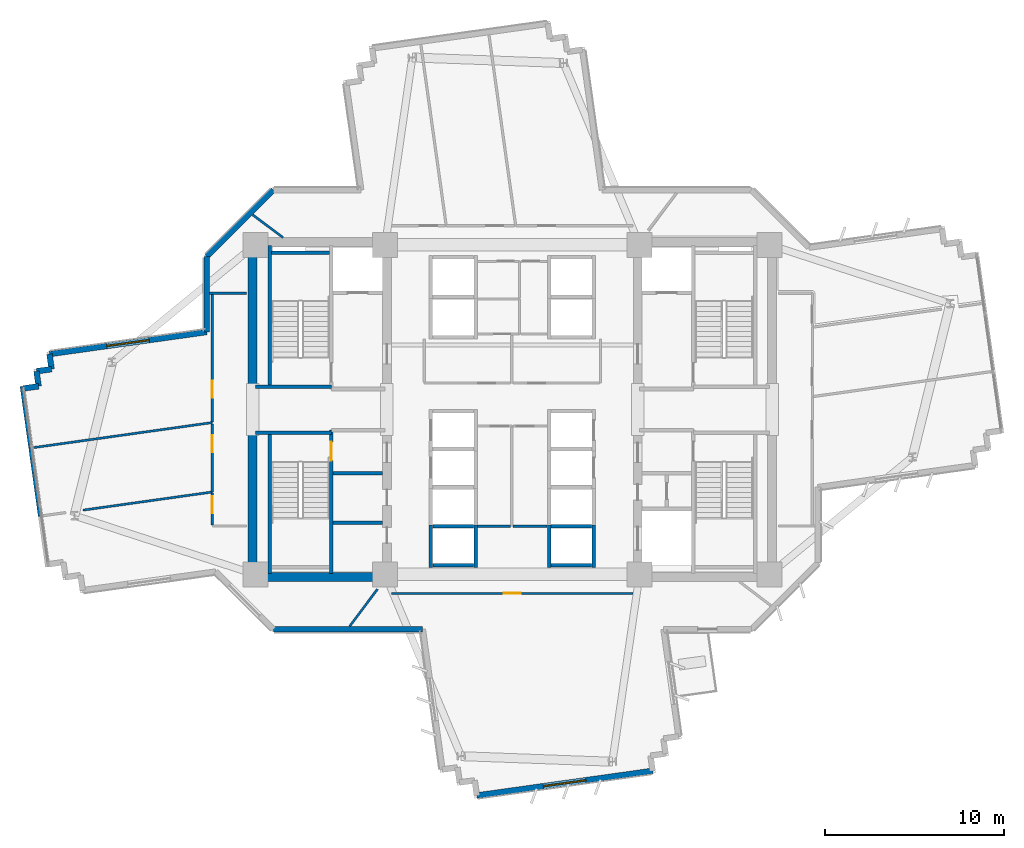
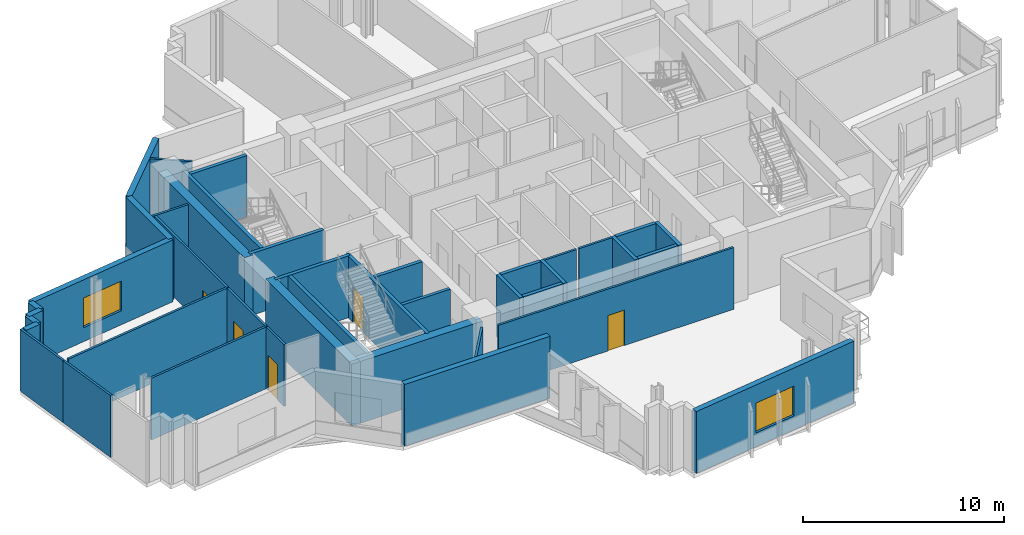
# One storey, part 6 of 14: 41 walls, 5 doors, 2 windows, 7 openings.
"""IFC4 building model written with IfcOpenShell, lengths in metres."""

from ifc_helpers import new_model, si_unit, direction, frame, frame_2d, origin, place, context, subcontext, project, spatial, rectangle, extrude, source, transform, mapped, material, layer, layer_set, type_object, element, fill, save


model = new_model("IFC4")

# Units and contexts
model_context = context("Model", 3, precision=1e-05, world=origin(), true_north=direction((0.0, 1.0)))
body_context = subcontext(model_context, "Body", "Model", "MODEL_VIEW")
ifc_project = project(units=[si_unit("LENGTHUNIT", "METRE"), si_unit("AREAUNIT", "SQUARE_METRE"), si_unit("VOLUMEUNIT", "CUBIC_METRE"), si_unit("PLANEANGLEUNIT", "RADIAN"), si_unit("MASSUNIT", "GRAM", prefix="KILO")], contexts=[model_context])

# Site, building, storey
site_placement = place(None, origin())
site = spatial("IfcSite", under=ifc_project, at=site_placement, CompositionType="ELEMENT")
building_placement = place(site_placement, origin())
building = spatial("IfcBuilding", under=site, at=building_placement, Name="Zahravan Cultural Tower", CompositionType="ELEMENT")
storey_placement = place(building_placement, frame((0.0, 0.0, 121.5)))
storey = spatial("IfcBuildingStorey", under=building, at=storey_placement, Name="L27", CompositionType="ELEMENT", Elevation=121.5)

# Wall, opening, window
ifc_material_1 = material(Name="Precast concrete C40/50", Category="concrete")
ifc_layer_1 = layer(ifc_material_1, 0.320068359375)
ifc_layer_set_1 = layer_set([ifc_layer_1], Name="Precast concrete C40/50")
wall_type_1 = type_object("IfcWallType", Name="EW-TC-320", PredefinedType="SOLIDWALL", material=ifc_layer_set_1)
wall_1_placement = place(storey_placement, frame((43.835693359375, 6.83251953125, 0.0), z_axis=(0.0, 0.0, 1.0), x_axis=(-0.990316250135, -0.138829840876, 0.0)))
wall_1 = element("IfcWall", 1, at=wall_1_placement, inside=storey, type_object=wall_type_1, Name="L27 Exterior Masonry Frame Wall 19", PredefinedType="SOLIDWALL", context=body_context, shape_type="SweptSolid", body=[
    extrude(rectangle(XDim=9.919921875, YDim=0.320068359375, at=frame_2d((4.9599609375, 0.0))), origin(), (0.0, 0.0, 1.0), 3.75),
])
opening_1_placement = place(wall_1_placement, frame((3.760009765625, 0.0, 0.85009765625)))
opening_1 = element("IfcOpeningElement", 2, at=opening_1_placement, cuts=wall_1, Name="Opening WN-01", PredefinedType="OPENING", context=body_context, shape_type="SweptSolid", body=[
    extrude(rectangle(XDim=2.39990234375, YDim=1.800048828125, at=frame_2d((1.199951171875, 0.89990234375))), frame((0.0, 0.169921875, 0.0), z_axis=(0.0, -1.0, 0.0), x_axis=(1.0, 0.0, 0.0)), (0.0, 0.0, 1.0), 0.340087890625),
])
ifc_material_2 = material(Name="Low-E solar-control double glazing", Category="glass")
window_type = type_object("IfcWindowType", Name="WN-REC-2400X1800", PartitioningType="DOUBLE_PANEL_VERTICAL", PredefinedType="WINDOW", material=ifc_material_2)
shared_shape_1 = source(origin(), body_context, "Body", "SweptSolid", [
    extrude(rectangle(XDim=2.39990234375, YDim=1.800048828125, at=frame_2d((1.199951171875, 0.89990234375))), frame((0.0, 0.030029296875, 0.0), z_axis=(0.0, -1.0, 0.0), x_axis=(1.0, 0.0, 0.0)), (0.0, 0.0, 1.0), 0.06005859375),
])
window_1_placement = place(opening_1_placement, origin())
window_1 = element("IfcWindow", 3, at=window_1_placement, inside=storey, type_object=window_type, Name="L27 Recessed Solar Window 04", OverallHeight=1.800048828125, OverallWidth=2.39990234375, PartitioningType="DOUBLE_PANEL_VERTICAL", PredefinedType="WINDOW", context=body_context, shape_type="MappedRepresentation", body=[
    mapped(shared_shape_1, transform((0.0, 0.0, 0.0), x_axis=(1.0, 0.0, 0.0), y_axis=(0.0, 1.0, 0.0), z_axis=(0.0, 0.0, 1.0), scale=1.0)),
])
fill(opening_1, window_1)

wall_2_placement = place(storey_placement, frame((10.1591796875, 30.1025390625, 0.0), z_axis=(0.0, 0.0, 1.0), x_axis=(0.990316171862, 0.138830399225, 0.0)))
wall_2 = element("IfcWall", 4, at=wall_2_placement, inside=storey, type_object=wall_type_1, Name="L27 Exterior Masonry Frame Wall 36", PredefinedType="SOLIDWALL", context=body_context, shape_type="SweptSolid", body=[
    extrude(rectangle(XDim=8.86669921875, YDim=0.320068359375, at=frame_2d((4.433349609375, 0.0))), origin(), (0.0, 0.0, 1.0), 3.75),
])
opening_2_placement = place(wall_2_placement, frame((3.23291015625, 0.0, 0.85009765625)))
opening_2 = element("IfcOpeningElement", 5, at=opening_2_placement, cuts=wall_2, Name="Opening WN-01", PredefinedType="OPENING", context=body_context, shape_type="SweptSolid", body=[
    extrude(rectangle(XDim=2.39990234375, YDim=1.800048828125, at=frame_2d((1.199951171875, 0.89990234375))), frame((0.0, 0.169921875, 0.0), z_axis=(0.0, -1.0, 0.0), x_axis=(1.0, 0.0, 0.0)), (0.0, 0.0, 1.0), 0.340087890625),
])
window_2_placement = place(opening_2_placement, origin())
window_2 = element("IfcWindow", 6, at=window_2_placement, inside=storey, type_object=window_type, Name="L27 Recessed Solar Window 08", OverallHeight=1.800048828125, OverallWidth=2.39990234375, PartitioningType="DOUBLE_PANEL_VERTICAL", PredefinedType="WINDOW", context=body_context, shape_type="MappedRepresentation", body=[
    mapped(shared_shape_1, transform((0.0, 0.0, 0.0), x_axis=(1.0, 0.0, 0.0), y_axis=(0.0, 1.0, 0.0), z_axis=(0.0, 0.0, 1.0), scale=1.0)),
])
fill(opening_2, window_2)

# Wall, opening, door
ifc_material_3 = material(Name="Gypsum plasterboard partition")
ifc_layer_2 = layer(ifc_material_3, 0.125)
ifc_layer_set_2 = layer_set([ifc_layer_2], Name="Gypsum plasterboard partition")
wall_type_2 = type_object("IfcWallType", Name="W-PART-125", PredefinedType="PARTITIONING", material=ifc_layer_set_2)
wall_3_placement = place(storey_placement, frame((19.25, 26.20947265625, 0.0), z_axis=(0.0, 0.0, 1.0), x_axis=(0.0, -1.0, 0.0)))
wall_3 = element("IfcWall", 7, at=wall_3_placement, inside=storey, type_object=wall_type_2, Name="L27 Interior Wall 092", PredefinedType="PARTITIONING", context=body_context, shape_type="SweptSolid", body=[
    extrude(rectangle(XDim=3.809326171875, YDim=0.125, at=frame_2d((1.90478515625, 0.0))), origin(), (0.0, 0.0, 1.0), 3.75),
])
opening_3_placement = place(wall_3_placement, frame((0.62890625, 0.0, 0.0)))
opening_3 = element("IfcOpeningElement", 8, at=opening_3_placement, cuts=wall_3, Name="Opening D-L27-26", PredefinedType="OPENING", context=body_context, shape_type="SweptSolid", body=[
    extrude(rectangle(XDim=0.949951171875, YDim=2.14990234375, at=frame_2d((0.47509765625, 1.074951171875))), frame((0.0, 0.072509765625, 0.0), z_axis=(0.0, -1.0, 0.0), x_axis=(1.0, 0.0, 0.0)), (0.0, 0.0, 1.0), 0.14501953125),
])
ifc_material_4 = material(Name="Anodised bronze-aluminium mullion", Category="aluminium")
door_type_1 = type_object("IfcDoorType", Name="DR-ROOM-950", OperationType="NOTDEFINED", PredefinedType="DOOR", material=ifc_material_4)
shared_shape_2 = source(origin(), body_context, "Body", "SweptSolid", [
    extrude(rectangle(XDim=0.949951171875, YDim=2.14990234375, at=frame_2d((0.47509765625, 1.074951171875))), frame((0.0, 0.02490234375, 0.0), z_axis=(0.0, -1.0, 0.0), x_axis=(1.0, 0.0, 0.0)), (0.0, 0.0, 1.0), 0.050048828125),
])
door_1_placement = place(opening_3_placement, origin())
door_1 = element("IfcDoor", 9, at=door_1_placement, inside=storey, type_object=door_type_1, Name="L27 Door D-L27-26", OperationType="SINGLE_SWING_RIGHT", OverallHeight=2.14990234375, OverallWidth=0.949951171875, PredefinedType="DOOR", context=body_context, shape_type="MappedRepresentation", body=[
    mapped(shared_shape_2, transform((0.0, 0.0, 0.0), x_axis=(1.0, 0.0, 0.0), y_axis=(0.0, 1.0, 0.0), z_axis=(0.0, 0.0, 1.0), scale=1.0)),
])
fill(opening_3, door_1)

wall_4_placement = place(storey_placement, frame((19.252685546875, 33.497314453125, 0.0), z_axis=(0.0, 0.0, 1.0), x_axis=(-0.000373020422, -0.999999930428, 0.0)))
wall_4 = element("IfcWall", 10, at=wall_4_placement, inside=storey, type_object=wall_type_2, Name="L27 Interior Wall 099", PredefinedType="PARTITIONING", context=body_context, shape_type="SweptSolid", body=[
    extrude(rectangle(XDim=7.199462890625, YDim=0.125, at=frame_2d((3.599609375, 0.0))), origin(), (0.0, 0.0, 1.0), 3.75),
])
opening_4_placement = place(wall_4_placement, frame((4.87451171875, 0.0, 0.0)))
opening_4 = element("IfcOpeningElement", 11, at=opening_4_placement, cuts=wall_4, Name="Opening D-L27-25", PredefinedType="OPENING", context=body_context, shape_type="SweptSolid", body=[
    extrude(rectangle(XDim=0.949951171875, YDim=2.14990234375, at=frame_2d((0.47509765625, 1.074951171875))), frame((0.0, 0.072509765625, 0.0), z_axis=(0.0, -1.0, 0.0), x_axis=(1.0, 0.0, 0.0)), (0.0, 0.0, 1.0), 0.14501953125),
])
door_2_placement = place(opening_4_placement, origin())
door_2 = element("IfcDoor", 12, at=door_2_placement, inside=storey, type_object=door_type_1, Name="L27 Door D-L27-25", OperationType="SINGLE_SWING_LEFT", OverallHeight=2.14990234375, OverallWidth=0.949951171875, PredefinedType="DOOR", context=body_context, shape_type="MappedRepresentation", body=[
    mapped(shared_shape_2, transform((0.0, 0.0, 0.0), x_axis=(1.0, 0.0, 0.0), y_axis=(0.0, 1.0, 0.0), z_axis=(0.0, 0.0, 1.0), scale=1.0)),
])
fill(opening_4, door_2)

wall_5_placement = place(storey_placement, frame((19.25, 22.33203125, 0.0), z_axis=(0.0, 0.0, 1.0), x_axis=(0.00055378643, -0.99999984666, 0.0)))
wall_5 = element("IfcWall", 13, at=wall_5_placement, inside=storey, type_object=wall_type_2, Name="L27 Interior Wall 112", PredefinedType="PARTITIONING", context=body_context, shape_type="SweptSolid", body=[
    extrude(rectangle(XDim=1.763427734375, YDim=0.125, at=frame_2d((0.8818359375, 0.0))), origin(), (0.0, 0.0, 1.0), 3.75),
])
opening_5_placement = place(wall_5_placement, frame((0.178955078125, 0.0, 0.0)))
opening_5 = element("IfcOpeningElement", 14, at=opening_5_placement, cuts=wall_5, Name="Opening D-L27-27", PredefinedType="OPENING", context=body_context, shape_type="SweptSolid", body=[
    extrude(rectangle(XDim=0.949951171875, YDim=2.14990234375, at=frame_2d((0.47509765625, 1.074951171875))), frame((0.0, 0.072509765625, 0.0), z_axis=(0.0, -1.0, 0.0), x_axis=(1.0, 0.0, 0.0)), (0.0, 0.0, 1.0), 0.14501953125),
])
door_3_placement = place(opening_5_placement, origin())
door_3 = element("IfcDoor", 15, at=door_3_placement, inside=storey, type_object=door_type_1, Name="L27 Door D-L27-27", OperationType="SINGLE_SWING_LEFT", OverallHeight=2.14990234375, OverallWidth=0.949951171875, PredefinedType="DOOR", context=body_context, shape_type="MappedRepresentation", body=[
    mapped(shared_shape_2, transform((0.0, 0.0, 0.0), x_axis=(1.0, 0.0, 0.0), y_axis=(0.0, 1.0, 0.0), z_axis=(0.0, 0.0, 1.0), scale=1.0)),
])
fill(opening_5, door_3)

wall_6_placement = place(storey_placement, frame((29.255859375, 16.739990234375, 0.0), z_axis=(0.0, 0.0, 1.0), x_axis=(1.0, 0.0, 0.0)))
wall_6 = element("IfcWall", 16, at=wall_6_placement, inside=storey, type_object=wall_type_2, Name="L27 Interior Wall 113", PredefinedType="PARTITIONING", context=body_context, shape_type="SweptSolid", body=[
    extrude(rectangle(XDim=13.48828125, YDim=0.125, at=frame_2d((6.744140625, 0.0))), origin(), (0.0, 0.0, 1.0), 3.75),
])
opening_6_placement = place(wall_6_placement, frame((6.26904296875, 0.0, 0.0)))
opening_6 = element("IfcOpeningElement", 17, at=opening_6_placement, cuts=wall_6, Name="Opening D-L27-28", PredefinedType="OPENING", context=body_context, shape_type="SweptSolid", body=[
    extrude(rectangle(XDim=0.949951171875, YDim=2.14990234375, at=frame_2d((0.47509765625, 1.074951171875))), frame((0.0, 0.072509765625, 0.0), z_axis=(0.0, -1.0, 0.0), x_axis=(1.0, 0.0, 0.0)), (0.0, 0.0, 1.0), 0.14501953125),
])
door_4_placement = place(opening_6_placement, origin())
door_4 = element("IfcDoor", 18, at=door_4_placement, inside=storey, type_object=door_type_1, Name="L27 Door D-L27-28", OperationType="SINGLE_SWING_RIGHT", OverallHeight=2.14990234375, OverallWidth=0.949951171875, PredefinedType="DOOR", context=body_context, shape_type="MappedRepresentation", body=[
    mapped(shared_shape_2, transform((0.0, 0.0, 0.0), x_axis=(1.0, 0.0, 0.0), y_axis=(0.0, 1.0, 0.0), z_axis=(0.0, 0.0, 1.0), scale=1.0)),
])
fill(opening_6, door_4)

ifc_material_5 = material(Name="Concrete C45/55", Category="concrete")
ifc_layer_3 = layer(ifc_material_5, 0.199951171875)
ifc_layer_set_3 = layer_set([ifc_layer_3], Name="Concrete C45/55")
wall_type_3 = type_object("IfcWallType", Name="W-SHAFT-200", PredefinedType="SOLIDWALL", material=ifc_layer_set_3)
wall_7_placement = place(storey_placement, frame((25.89990234375, 17.85009765625, 0.0), z_axis=(0.0, 0.0, 1.0), x_axis=(0.0, 1.0, 0.0)))
wall_7 = element("IfcWall", 19, at=wall_7_placement, inside=storey, type_object=wall_type_3, Name="L27 Interior Wall 005", PredefinedType="SOLIDWALL", context=body_context, shape_type="SweptSolid", body=[
    extrude(rectangle(XDim=8.0, YDim=0.199951171875, at=frame_2d((4.0, 0.0))), origin(), (0.0, 0.0, 1.0), 3.75),
])
opening_7_placement = place(wall_7_placement, frame((6.300048828125, 0.0, 0.0)))
opening_7 = element("IfcOpeningElement", 20, at=opening_7_placement, cuts=wall_7, Name="Opening D-L27-04", PredefinedType="OPENING", context=body_context, shape_type="SweptSolid", body=[
    extrude(rectangle(XDim=1.050048828125, YDim=2.14990234375, at=frame_2d((0.52490234375, 1.074951171875))), frame((0.0, 0.10986328125, 0.0), z_axis=(0.0, -1.0, 0.0), x_axis=(1.0, 0.0, 0.0)), (0.0, 0.0, 1.0), 0.219970703125),
])
ifc_material_6 = material(Name="Steel ASTM A572 Grade 50", Category="steel")
door_type_2 = type_object("IfcDoorType", Name="DR-STAIR-1050", OperationType="NOTDEFINED", PredefinedType="DOOR", material=ifc_material_6)
shared_shape_3 = source(origin(), body_context, "Body", "SweptSolid", [
    extrude(rectangle(XDim=1.050048828125, YDim=2.14990234375, at=frame_2d((0.52490234375, 1.074951171875))), frame((0.0, 0.02490234375, 0.0), z_axis=(0.0, -1.0, 0.0), x_axis=(1.0, 0.0, 0.0)), (0.0, 0.0, 1.0), 0.050048828125),
])
door_5_placement = place(opening_7_placement, origin())
door_5 = element("IfcDoor", 21, at=door_5_placement, inside=storey, type_object=door_type_2, Name="L27 Door D-L27-04", OperationType="SINGLE_SWING_RIGHT", OverallHeight=2.14990234375, OverallWidth=1.050048828125, PredefinedType="DOOR", context=body_context, shape_type="MappedRepresentation", body=[
    mapped(shared_shape_3, transform((0.0, 0.0, 0.0), x_axis=(1.0, 0.0, 0.0), y_axis=(0.0, 1.0, 0.0), z_axis=(0.0, 0.0, 1.0), scale=1.0)),
])
fill(opening_7, door_5)

# Walls
ifc_material_7 = material(Name="Concrete C60/75", Category="concrete")
ifc_layer_4 = layer(ifc_material_7, 0.5)
ifc_layer_set_4 = layer_set([ifc_layer_4], Name="Concrete C60/75")
wall_type_4 = type_object("IfcWallType", Name="CW-SHEAR-500-C60", PredefinedType="SHEAR", material=ifc_layer_set_4)
shared_shape_4 = source(origin(), body_context, "Body", "SweptSolid", [
    extrude(rectangle(XDim=8.550048828125, YDim=0.5, at=frame_2d((4.27490234375, 0.0))), origin(), (0.0, 0.0, 1.0), 3.75),
])
for number, where, z_axis, x_axis, name in (
    (22, (21.5, 17.39990234375, 0.0), (0.0, 0.0, 1.0), (0.0, 1.0, 0.0), "L27 Core Shear Wall CW-W-WS-L27"),
    (23, (21.5, 28.050048828125, 0.0), (0.0, 0.0, 1.0), (0.0, 1.0, 0.0), "L27 Core Shear Wall CW-W-WN-L27"),
):
    element("IfcWall", number, at=place(storey_placement, frame(where, z_axis=z_axis, x_axis=x_axis)), inside=storey, type_object=wall_type_4, Name=name, PredefinedType="SHEAR", context=body_context, shape_type="MappedRepresentation", body=[
        mapped(shared_shape_4, transform((0.0, 0.0, 0.0), x_axis=(1.0, 0.0, 0.0), y_axis=(0.0, 1.0, 0.0), z_axis=(0.0, 0.0, 1.0), scale=1.0)),
    ])
shared_shape_5 = source(origin(), body_context, "Body", "SweptSolid", [
    extrude(rectangle(XDim=7.0, YDim=0.5, at=frame_2d((3.5, 0.0))), origin(), (0.0, 0.0, 1.0), 3.75),
])
wall_8_placement = place(storey_placement, frame((21.75, 17.64990234375, 0.0), z_axis=(0.0, 0.0, 1.0), x_axis=(1.0, 0.0, 0.0)))
element("IfcWall", 24, at=wall_8_placement, inside=storey, type_object=wall_type_4, Name="L27 Core Shear Wall CW-W-S-L27", PredefinedType="SHEAR", context=body_context, shape_type="MappedRepresentation", body=[
    mapped(shared_shape_5, transform((0.0, 0.0, 0.0), x_axis=(1.0, 0.0, 0.0), y_axis=(0.0, 1.0, 0.0), z_axis=(0.0, 0.0, 1.0), scale=1.0)),
])
shared_shape_6 = source(origin(), body_context, "Body", "SweptSolid", [
    extrude(rectangle(XDim=0.85009765625, YDim=0.320068359375, at=frame_2d((0.425048828125, 0.0))), origin(), (0.0, 0.0, 1.0), 3.75),
])
for number, where, z_axis, x_axis, name in (
    (25, (8.71142578125, 28.18310546875, 0.0), (0.0, 0.0, 1.0), (0.990330700987, 0.138726719425, 0.0), "L27 Exterior Masonry Frame Wall 32"),
    (26, (9.55322265625, 28.301025390625, 0.0), (0.0, 0.0, 1.0), (-0.138726719425, 0.990330700987, 0.0), "L27 Exterior Masonry Frame Wall 33"),
    (27, (9.435302734375, 29.142822265625, 0.0), (0.0, 0.0, 1.0), (0.990330700987, 0.138726719425, 0.0), "L27 Exterior Masonry Frame Wall 34"),
    (28, (10.277099609375, 29.2607421875, 0.0), (0.0, 0.0, 1.0), (-0.138726719425, 0.990330700987, 0.0), "L27 Exterior Masonry Frame Wall 35"),
):
    element("IfcWall", number, at=place(storey_placement, frame(where, z_axis=z_axis, x_axis=x_axis)), inside=storey, type_object=wall_type_1, Name=name, PredefinedType="SOLIDWALL", context=body_context, shape_type="MappedRepresentation", body=[
        mapped(shared_shape_6, transform((0.0, 0.0, 0.0), x_axis=(1.0, 0.0, 0.0), y_axis=(0.0, 1.0, 0.0), z_axis=(0.0, 0.0, 1.0), scale=1.0)),
    ])
shared_shape_7 = source(origin(), body_context, "Body", "SweptSolid", [
    extrude(rectangle(XDim=4.20849609375, YDim=0.320068359375, at=frame_2d((2.104248046875, 0.0))), origin(), (0.0, 0.0, 1.0), 3.75),
])
wall_9_placement = place(storey_placement, frame((18.93994140625, 31.33349609375, 0.0), z_axis=(0.0, 0.0, 1.0), x_axis=(0.0, 1.0, 0.0)))
element("IfcWall", 29, at=wall_9_placement, inside=storey, type_object=wall_type_1, Name="L27 Exterior Masonry Frame Wall 37", PredefinedType="SOLIDWALL", context=body_context, shape_type="MappedRepresentation", body=[
    mapped(shared_shape_7, transform((0.0, 0.0, 0.0), x_axis=(1.0, 0.0, 0.0), y_axis=(0.0, 1.0, 0.0), z_axis=(0.0, 0.0, 1.0), scale=1.0)),
])
shared_shape_8 = source(origin(), body_context, "Body", "SweptSolid", [
    extrude(rectangle(XDim=5.258056640625, YDim=0.320068359375, at=frame_2d((2.62890625, 0.0))), origin(), (0.0, 0.0, 1.0), 3.75),
])
wall_10_placement = place(storey_placement, frame((18.93994140625, 35.5419921875, 0.0), z_axis=(0.0, 0.0, 1.0), x_axis=(0.707106781187, 0.707106781187, 0.0)))
element("IfcWall", 30, at=wall_10_placement, inside=storey, type_object=wall_type_1, Name="L27 Exterior Masonry Frame Wall 38", PredefinedType="SOLIDWALL", context=body_context, shape_type="MappedRepresentation", body=[
    mapped(shared_shape_8, transform((0.0, 0.0, 0.0), x_axis=(1.0, 0.0, 0.0), y_axis=(0.0, 1.0, 0.0), z_axis=(0.0, 0.0, 1.0), scale=1.0)),
])
shared_shape_9 = source(origin(), body_context, "Body", "SweptSolid", [
    extrude(rectangle(XDim=8.33544921875, YDim=0.320068359375, at=frame_2d((4.167724609375, 0.0))), origin(), (0.0, 0.0, 1.0), 3.75),
])
wall_11_placement = place(storey_placement, frame((30.993408203125, 14.739990234375, 0.0), z_axis=(0.0, 0.0, 1.0), x_axis=(-1.0, 0.0, 0.0)))
element("IfcWall", 31, at=wall_11_placement, inside=storey, type_object=wall_type_1, Name="L27 Exterior Masonry Frame Wall 25", PredefinedType="SOLIDWALL", context=body_context, shape_type="MappedRepresentation", body=[
    mapped(shared_shape_9, transform((0.0, 0.0, 0.0), x_axis=(1.0, 0.0, 0.0), y_axis=(0.0, 1.0, 0.0), z_axis=(0.0, 0.0, 1.0), scale=1.0)),
])
shared_shape_10 = source(origin(), body_context, "Body", "SweptSolid", [
    extrude(rectangle(XDim=7.869873046875, YDim=0.199951171875, at=frame_2d((3.93505859375, 0.0))), origin(), (0.0, 0.0, 1.0), 3.75),
])
for number, where, z_axis, x_axis, name in (
    (32, (22.449951171875, 17.85009765625, 0.0), (0.0, 0.0, 1.0), (0.0, 1.0, 0.0), "L27 Interior Wall 001"),
    (33, (22.449951171875, 28.280029296875, 0.0), (0.0, 0.0, 1.0), (0.0, 1.0, 0.0), "L27 Interior Wall 002"),
):
    element("IfcWall", number, at=place(storey_placement, frame(where, z_axis=z_axis, x_axis=x_axis)), inside=storey, type_object=wall_type_3, Name=name, PredefinedType="SOLIDWALL", context=body_context, shape_type="MappedRepresentation", body=[
        mapped(shared_shape_10, transform((0.0, 0.0, 0.0), x_axis=(1.0, 0.0, 0.0), y_axis=(0.0, 1.0, 0.0), z_axis=(0.0, 0.0, 1.0), scale=1.0)),
    ])
shared_shape_11 = source(origin(), body_context, "Body", "SweptSolid", [
    extrude(rectangle(XDim=4.25, YDim=0.199951171875, at=frame_2d((2.125, 0.0))), origin(), (0.0, 0.0, 1.0), 3.75),
])
for number, where, z_axis, x_axis, name in (
    (34, (21.64990234375, 25.715087890625, 0.0), (0.0, 0.0, 1.0), (1.0, 0.0, 0.0), "L27 Interior Wall 009"),
    (35, (21.64990234375, 28.284912109375, 0.0), (0.0, 0.0, 1.0), (1.0, 0.0, 0.0), "L27 Interior Wall 011"),
):
    element("IfcWall", number, at=place(storey_placement, frame(where, z_axis=z_axis, x_axis=x_axis)), inside=storey, type_object=wall_type_3, Name=name, PredefinedType="SOLIDWALL", context=body_context, shape_type="MappedRepresentation", body=[
        mapped(shared_shape_11, transform((0.0, 0.0, 0.0), x_axis=(1.0, 0.0, 0.0), y_axis=(0.0, 1.0, 0.0), z_axis=(0.0, 0.0, 1.0), scale=1.0)),
    ])
shared_shape_12 = source(origin(), body_context, "Body", "SweptSolid", [
    extrude(rectangle(XDim=3.25, YDim=0.199951171875, at=frame_2d((1.625, 0.0))), origin(), (0.0, 0.0, 1.0), 3.75),
])
wall_12_placement = place(storey_placement, frame((22.550048828125, 35.75, 0.0), z_axis=(0.0, 0.0, 1.0), x_axis=(1.0, 0.0, 0.0)))
element("IfcWall", 36, at=wall_12_placement, inside=storey, type_object=wall_type_3, Name="L27 Interior Wall 017", PredefinedType="SOLIDWALL", context=body_context, shape_type="MappedRepresentation", body=[
    mapped(shared_shape_12, transform((0.0, 0.0, 0.0), x_axis=(1.0, 0.0, 0.0), y_axis=(0.0, 1.0, 0.0), z_axis=(0.0, 0.0, 1.0), scale=1.0)),
])
shared_shape_13 = source(origin(), body_context, "Body", "SweptSolid", [
    extrude(rectangle(XDim=2.75, YDim=0.199951171875, at=frame_2d((1.375, 0.0))), origin(), (0.0, 0.0, 1.0), 3.75),
])
wall_13_placement = place(storey_placement, frame((26.0, 23.449951171875, 0.0), z_axis=(0.0, 0.0, 1.0), x_axis=(1.0, 0.0, 0.0)))
element("IfcWall", 37, at=wall_13_placement, inside=storey, type_object=wall_type_3, Name="L27 Interior Wall 023", PredefinedType="SOLIDWALL", context=body_context, shape_type="MappedRepresentation", body=[
    mapped(shared_shape_13, transform((0.0, 0.0, 0.0), x_axis=(1.0, 0.0, 0.0), y_axis=(0.0, 1.0, 0.0), z_axis=(0.0, 0.0, 1.0), scale=1.0)),
])
ifc_layer_5 = layer(ifc_material_3, 0.179931640625)
ifc_layer_set_5 = layer_set([ifc_layer_5], Name="Gypsum plasterboard partition")
wall_type_5 = type_object("IfcWallType", Name="W-COMP-180", PredefinedType="PARTITIONING", material=ifc_layer_set_5)
shared_shape_14 = source(origin(), body_context, "Body", "SweptSolid", [
    extrude(rectangle(XDim=2.75, YDim=0.179931640625, at=frame_2d((1.375, 0.0))), origin(), (0.0, 0.0, 1.0), 3.75),
])
wall_14_placement = place(storey_placement, frame((26.0, 20.679931640625, 0.0), z_axis=(0.0, 0.0, 1.0), x_axis=(1.0, 0.0, 0.0)))
element("IfcWall", 38, at=wall_14_placement, inside=storey, type_object=wall_type_5, Name="L27 Interior Wall 026", PredefinedType="PARTITIONING", context=body_context, shape_type="MappedRepresentation", body=[
    mapped(shared_shape_14, transform((0.0, 0.0, 0.0), x_axis=(1.0, 0.0, 0.0), y_axis=(0.0, 1.0, 0.0), z_axis=(0.0, 0.0, 1.0), scale=1.0)),
])
shared_shape_15 = source(origin(), body_context, "Body", "SweptSolid", [
    extrude(rectangle(XDim=2.260009765625, YDim=0.199951171875, at=frame_2d((1.1298828125, 0.0))), origin(), (0.0, 0.0, 1.0), 3.75),
])
for number, where, z_axis, x_axis, name in (
    (39, (31.570068359375, 20.5, 0.0), (0.0, 0.0, 1.0), (1.0, 0.0, 0.0), "L27 Interior Wall 044"),
    (40, (31.570068359375, 18.300048828125, 0.0), (0.0, 0.0, 1.0), (1.0, 0.0, 0.0), "L27 Interior Wall 048"),
    (41, (38.169921875, 20.5, 0.0), (0.0, 0.0, 1.0), (1.0, 0.0, 0.0), "L27 Interior Wall 051"),
    (42, (38.169921875, 18.300048828125, 0.0), (0.0, 0.0, 1.0), (1.0, 0.0, 0.0), "L27 Interior Wall 055"),
):
    element("IfcWall", number, at=place(storey_placement, frame(where, z_axis=z_axis, x_axis=x_axis)), inside=storey, type_object=wall_type_3, Name=name, PredefinedType="SOLIDWALL", context=body_context, shape_type="MappedRepresentation", body=[
        mapped(shared_shape_15, transform((0.0, 0.0, 0.0), x_axis=(1.0, 0.0, 0.0), y_axis=(0.0, 1.0, 0.0), z_axis=(0.0, 0.0, 1.0), scale=1.0)),
    ])
shared_shape_16 = source(origin(), body_context, "Body", "SweptSolid", [
    extrude(rectangle(XDim=2.35009765625, YDim=0.199951171875, at=frame_2d((1.175048828125, 0.0))), origin(), (0.0, 0.0, 1.0), 3.75),
])
for number, where, z_axis, x_axis, name in (
    (43, (31.449951171875, 18.199951171875, 0.0), (0.0, 0.0, 1.0), (0.0, 1.0, 0.0), "L27 Interior Wall 046"),
    (44, (33.949951171875, 18.199951171875, 0.0), (0.0, 0.0, 1.0), (0.0, 1.0, 0.0), "L27 Interior Wall 047"),
    (45, (38.050048828125, 18.199951171875, 0.0), (0.0, 0.0, 1.0), (0.0, 1.0, 0.0), "L27 Interior Wall 053"),
    (46, (40.550048828125, 18.199951171875, 0.0), (0.0, 0.0, 1.0), (0.0, 1.0, 0.0), "L27 Interior Wall 054"),
):
    element("IfcWall", number, at=place(storey_placement, frame(where, z_axis=z_axis, x_axis=x_axis)), inside=storey, type_object=wall_type_3, Name=name, PredefinedType="SOLIDWALL", context=body_context, shape_type="MappedRepresentation", body=[
        mapped(shared_shape_16, transform((0.0, 0.0, 0.0), x_axis=(1.0, 0.0, 0.0), y_axis=(0.0, 1.0, 0.0), z_axis=(0.0, 0.0, 1.0), scale=1.0)),
    ])
shared_shape_17 = source(origin(), body_context, "Body", "SweptSolid", [
    extrude(rectangle(XDim=1.84765625, YDim=0.125, at=frame_2d((0.923828125, 0.0))), origin(), (0.0, 0.0, 1.0), 3.75),
])
wall_15_placement = place(storey_placement, frame((35.902587890625, 20.489990234375, 0.0), z_axis=(0.0, 0.0, 1.0), x_axis=(-1.0, 0.0, 0.0)))
element("IfcWall", 47, at=wall_15_placement, inside=storey, type_object=wall_type_2, Name="L27 Interior Wall 077", PredefinedType="PARTITIONING", context=body_context, shape_type="MappedRepresentation", body=[
    mapped(shared_shape_17, transform((0.0, 0.0, 0.0), x_axis=(1.0, 0.0, 0.0), y_axis=(0.0, 1.0, 0.0), z_axis=(0.0, 0.0, 1.0), scale=1.0)),
])
shared_shape_18 = source(origin(), body_context, "Body", "SweptSolid", [
    extrude(rectangle(XDim=1.907470703125, YDim=0.125, at=frame_2d((0.95361328125, 0.0))), origin(), (0.0, 0.0, 1.0), 3.75),
])
wall_16_placement = place(storey_placement, frame((37.945068359375, 20.489990234375, 0.0), z_axis=(0.0, 0.0, 1.0), x_axis=(-1.0, 0.0, 0.0)))
element("IfcWall", 48, at=wall_16_placement, inside=storey, type_object=wall_type_2, Name="L27 Interior Wall 079", PredefinedType="PARTITIONING", context=body_context, shape_type="MappedRepresentation", body=[
    mapped(shared_shape_18, transform((0.0, 0.0, 0.0), x_axis=(1.0, 0.0, 0.0), y_axis=(0.0, 1.0, 0.0), z_axis=(0.0, 0.0, 1.0), scale=1.0)),
])
shared_shape_19 = source(origin(), body_context, "Body", "SweptSolid", [
    extrude(rectangle(XDim=7.286865234375, YDim=0.125, at=frame_2d((3.6435546875, 0.0))), origin(), (0.0, 0.0, 1.0), 3.75),
])
wall_17_placement = place(storey_placement, frame((19.249755859375, 22.400146484375, 0.0), z_axis=(0.0, 0.0, 1.0), x_axis=(-0.990314677425, -0.138841059045, 0.0)))
element("IfcWall", 49, at=wall_17_placement, inside=storey, type_object=wall_type_2, Name="L27 Interior Wall 093", PredefinedType="PARTITIONING", context=body_context, shape_type="MappedRepresentation", body=[
    mapped(shared_shape_19, transform((0.0, 0.0, 0.0), x_axis=(1.0, 0.0, 0.0), y_axis=(0.0, 1.0, 0.0), z_axis=(0.0, 0.0, 1.0), scale=1.0)),
])
shared_shape_20 = source(origin(), body_context, "Body", "SweptSolid", [
    extrude(rectangle(XDim=3.83984375, YDim=0.125, at=frame_2d((1.919921875, 0.0))), origin(), (0.0, 0.0, 1.0), 3.75),
])
wall_18_placement = place(storey_placement, frame((9.5908203125, 21.046142578125, 0.0), z_axis=(0.0, 0.0, 1.0), x_axis=(-0.138795007241, 0.990321132747, 0.0)))
element("IfcWall", 50, at=wall_18_placement, inside=storey, type_object=wall_type_2, Name="L27 Interior Wall 090", PredefinedType="PARTITIONING", context=body_context, shape_type="MappedRepresentation", body=[
    mapped(shared_shape_20, transform((0.0, 0.0, 0.0), x_axis=(1.0, 0.0, 0.0), y_axis=(0.0, 1.0, 0.0), z_axis=(0.0, 0.0, 1.0), scale=1.0)),
])
shared_shape_21 = source(origin(), body_context, "Body", "SweptSolid", [
    extrude(rectangle(XDim=10.06689453125, YDim=0.125, at=frame_2d((5.033447265625, 0.0))), origin(), (0.0, 0.0, 1.0), 3.75),
])
wall_19_placement = place(storey_placement, frame((9.280517578125, 24.880126953125, 0.0), z_axis=(0.0, 0.0, 1.0), x_axis=(0.990318089486, 0.138816719584, 0.0)))
element("IfcWall", 51, at=wall_19_placement, inside=storey, type_object=wall_type_2, Name="L27 Interior Wall 091", PredefinedType="PARTITIONING", context=body_context, shape_type="MappedRepresentation", body=[
    mapped(shared_shape_21, transform((0.0, 0.0, 0.0), x_axis=(1.0, 0.0, 0.0), y_axis=(0.0, 1.0, 0.0), z_axis=(0.0, 0.0, 1.0), scale=1.0)),
])
shared_shape_22 = source(origin(), body_context, "Body", "SweptSolid", [
    extrude(rectangle(XDim=2.11865234375, YDim=0.125, at=frame_2d((1.059326171875, 0.0))), origin(), (0.0, 0.0, 1.0), 3.75),
])
wall_20_placement = place(storey_placement, frame((23.20166015625, 36.60498046875, 0.0), z_axis=(0.0, 0.0, 1.0), x_axis=(-0.801201403988, 0.598394777925, 0.0)))
element("IfcWall", 52, at=wall_20_placement, inside=storey, type_object=wall_type_2, Name="L27 Interior Wall 098", PredefinedType="PARTITIONING", context=body_context, shape_type="MappedRepresentation", body=[
    mapped(shared_shape_22, transform((0.0, 0.0, 0.0), x_axis=(1.0, 0.0, 0.0), y_axis=(0.0, 1.0, 0.0), z_axis=(0.0, 0.0, 1.0), scale=1.0)),
])
shared_shape_23 = source(origin(), body_context, "Body", "SweptSolid", [
    extrude(rectangle(XDim=3.4501953125, YDim=0.125, at=frame_2d((1.72509765625, 0.0))), origin(), (0.0, 0.0, 1.0), 3.75),
])
wall_21_placement = place(storey_placement, frame((9.054931640625, 24.86865234375, 0.0), z_axis=(0.0, 0.0, 1.0), x_axis=(-0.13883522696, 0.990315495059, 0.0)))
element("IfcWall", 53, at=wall_21_placement, inside=storey, type_object=wall_type_2, Name="L27 Interior Wall 100", PredefinedType="PARTITIONING", context=body_context, shape_type="MappedRepresentation", body=[
    mapped(shared_shape_23, transform((0.0, 0.0, 0.0), x_axis=(1.0, 0.0, 0.0), y_axis=(0.0, 1.0, 0.0), z_axis=(0.0, 0.0, 1.0), scale=1.0)),
])
shared_shape_24 = source(origin(), body_context, "Body", "SweptSolid", [
    extrude(rectangle(XDim=2.04931640625, YDim=0.125, at=frame_2d((1.024658203125, 0.0))), origin(), (0.0, 0.0, 1.0), 3.75),
])
wall_22_placement = place(storey_placement, frame((21.1494140625, 33.49658203125, 0.0), z_axis=(0.0, 0.0, 1.0), x_axis=(-0.999999936133, 0.000357398119, 0.0)))
element("IfcWall", 54, at=wall_22_placement, inside=storey, type_object=wall_type_2, Name="L27 Interior Wall 101", PredefinedType="PARTITIONING", context=body_context, shape_type="MappedRepresentation", body=[
    mapped(shared_shape_24, transform((0.0, 0.0, 0.0), x_axis=(1.0, 0.0, 0.0), y_axis=(0.0, 1.0, 0.0), z_axis=(0.0, 0.0, 1.0), scale=1.0)),
])
shared_shape_25 = source(origin(), body_context, "Body", "SweptSolid", [
    extrude(rectangle(XDim=2.589599609375, YDim=0.125, at=frame_2d((1.294921875, 0.0))), origin(), (0.0, 0.0, 1.0), 3.75),
])
wall_23_placement = place(storey_placement, frame((28.4697265625, 16.97998046875, 0.0), z_axis=(0.0, 0.0, 1.0), x_axis=(-0.598354601134, -0.801231409333, 0.0)))
element("IfcWall", 55, at=wall_23_placement, inside=storey, type_object=wall_type_2, Name="L27 Interior Wall 110", PredefinedType="PARTITIONING", context=body_context, shape_type="MappedRepresentation", body=[
    mapped(shared_shape_25, transform((0.0, 0.0, 0.0), x_axis=(1.0, 0.0, 0.0), y_axis=(0.0, 1.0, 0.0), z_axis=(0.0, 0.0, 1.0), scale=1.0)),
])

save(model, "model.ifc")
